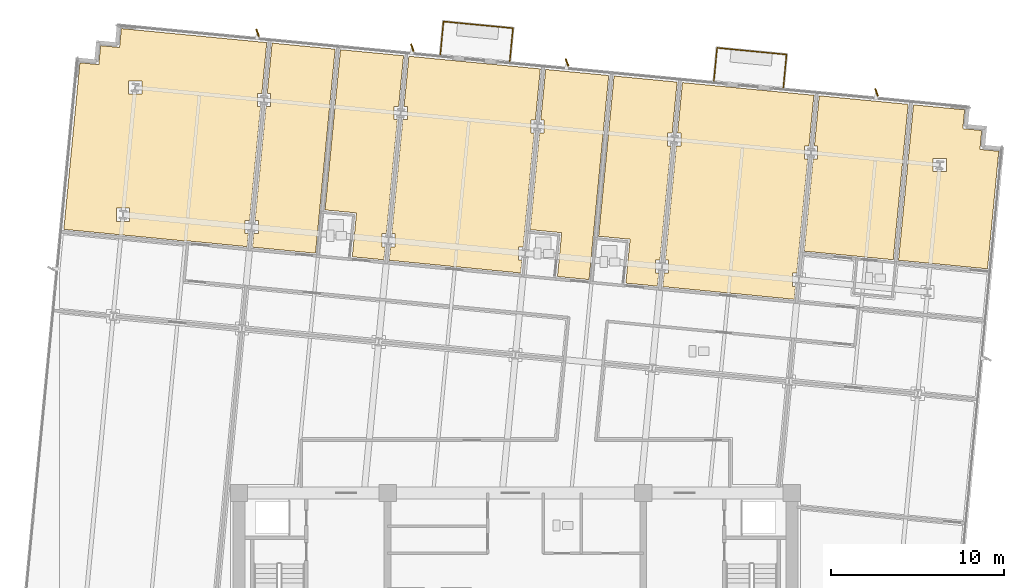
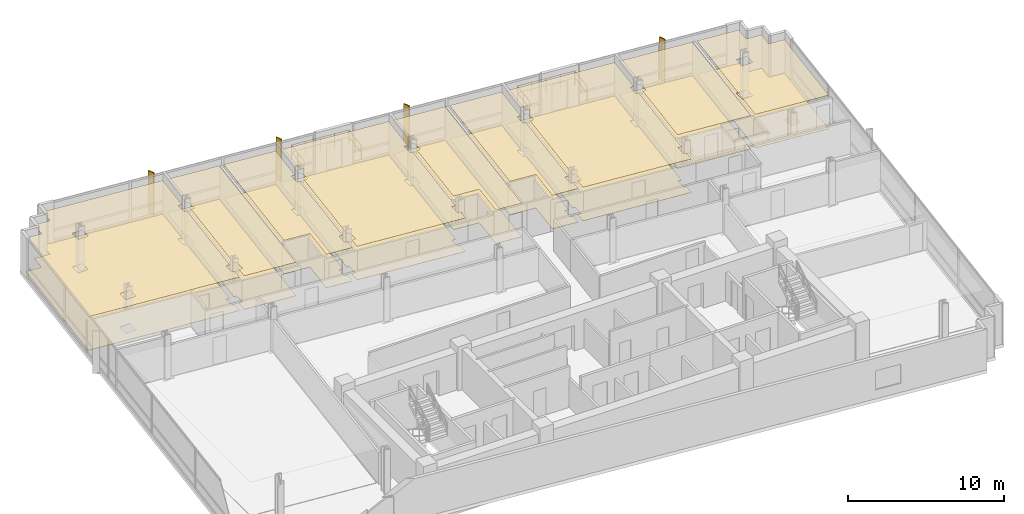
# One storey, part 16 of 17: 18 coverings, 6 railings, 4 shading devices.
"""IFC4 building model written with IfcOpenShell, lengths in metres."""

from ifc_helpers import new_model, si_unit, direction, frame, origin, origin_2d, place, context, subcontext, project, spatial, polyline, rectangle, circle, outline, extrude, material, layer, layer_set, type_object, element, save


model = new_model("IFC4")

# Units and contexts
model_context = context("Model", 3, precision=1e-05, world=origin(), true_north=direction((0.0, 1.0)))
body_context = subcontext(model_context, "Body", "Model", "MODEL_VIEW")
ifc_project = project(units=[si_unit("LENGTHUNIT", "METRE"), si_unit("AREAUNIT", "SQUARE_METRE"), si_unit("VOLUMEUNIT", "CUBIC_METRE"), si_unit("PLANEANGLEUNIT", "RADIAN"), si_unit("MASSUNIT", "GRAM", prefix="KILO")], contexts=[model_context])

# Site, building, storey
site_placement = place(None, origin())
site = spatial("IfcSite", under=ifc_project, at=site_placement, CompositionType="ELEMENT")
building_placement = place(site_placement, origin())
building = spatial("IfcBuilding", under=site, at=building_placement, Name="Solmavex Isthmus Hotel", CompositionType="ELEMENT")
storey_placement = place(building_placement, frame((0.0, 0.0, 173.85009765625)))
storey = spatial("IfcBuildingStorey", under=building, at=storey_placement, Name="L47", CompositionType="ELEMENT", Elevation=173.85009765625)

# Coverings
ifc_material_1 = material(Name="Gypsum plasterboard lining", Category="gypsum")
ifc_layer_1 = layer(ifc_material_1, 0.030029296875)
ifc_layer_set_1 = layer_set([ifc_layer_1], Name="Gypsum plasterboard lining")
covering_type_1 = type_object("IfcCoveringType", Name="COV-CEIL-GYP", PredefinedType="CEILING", material=ifc_layer_set_1)
covering_1_placement = place(storey_placement, frame((0.0, 0.0, 2.619873046875)))
element("IfcCovering", 1, at=covering_1_placement, inside=storey, type_object=covering_type_1, Name="Suspended Acoustic Ceiling L47-RM01", PredefinedType="CEILING", context=body_context, shape_type="SweptSolid", body=[
    extrude(outline(polyline([(-19.121337890625, 12.088623046875), (-19.119384765625, 12.1083984375), (-15.535888671875, 11.763427734375), (-15.463623046875, 12.51611328125), (-15.651123046875, 12.51611328125), (-15.651123046875, 13.276123046875), (-15.390380859375, 13.276123046875), (-14.755126953125, 19.874267578125), (-14.942626953125, 19.874267578125), (-14.942626953125, 20.63427734375), (-14.681884765625, 20.63427734375), (-14.3984375, 23.578857421875), (-21.99609375, 24.310302734375), (-22.8173828125, 24.389404296875), (-22.9228515625, 23.29443359375), (-24.017822265625, 23.39990234375), (-24.123291015625, 22.304931640625), (-25.218017578125, 22.410400390625), (-25.297119140625, 21.589111328125), (-26.14697265625, 12.764892578125), (-19.121337890625, 12.088623046875)]), holes=[polyline([(-22.396240234375, 20.591796875), (-22.396240234375, 21.351806640625), (-21.63623046875, 21.351806640625), (-21.63623046875, 20.591796875), (-22.396240234375, 20.591796875)]), polyline([(-23.104736328125, 13.23388671875), (-23.104736328125, 13.993896484375), (-22.3447265625, 13.993896484375), (-22.3447265625, 13.23388671875), (-23.104736328125, 13.23388671875)])]), origin(), (0.0, 0.0, 1.0), 0.030029296875),
])
covering_2_placement = place(storey_placement, frame((0.0, 0.0, 2.619873046875)))
element("IfcCovering", 2, at=covering_2_placement, inside=storey, type_object=covering_type_1, Name="Suspended Acoustic Ceiling L47-RM02", PredefinedType="CEILING", context=body_context, shape_type="SweptSolid", body=[
    extrude(outline(polyline([(-15.078857421875, 13.276123046875), (-14.89111328125, 13.276123046875), (-14.89111328125, 12.51611328125), (-15.152099609375, 12.51611328125), (-15.2275390625, 11.733642578125), (-11.576416015625, 11.382080078125), (-10.438720703125, 23.197509765625), (-14.08984375, 23.549072265625), (-14.370361328125, 20.63427734375), (-14.1826171875, 20.63427734375), (-14.1826171875, 19.874267578125), (-14.443603515625, 19.874267578125), (-15.078857421875, 13.276123046875)])), origin(), (0.0, 0.0, 1.0), 0.030029296875),
])
covering_3_placement = place(storey_placement, frame((0.0, 0.0, 2.619873046875)))
element("IfcCovering", 3, at=covering_3_placement, inside=storey, type_object=covering_type_1, Name="Suspended Acoustic Ceiling L47-RM03", PredefinedType="CEILING", context=body_context, shape_type="SweptSolid", body=[
    extrude(outline(polyline([(-6.835693359375, 19.111572265625), (-7.0234375, 19.111572265625), (-7.0234375, 19.87158203125), (-6.762451171875, 19.87158203125), (-6.47900390625, 22.816162109375), (-10.130126953125, 23.167724609375), (-11.0234375, 13.890625), (-9.201904296875, 13.71533203125), (-9.4462890625, 11.177001953125), (-7.61669921875, 11.000732421875), (-7.544189453125, 11.753662109375), (-7.73193359375, 11.753662109375), (-7.73193359375, 12.513671875), (-7.470947265625, 12.513671875), (-6.835693359375, 19.111572265625)])), origin(), (0.0, 0.0, 1.0), 0.030029296875),
])
covering_4_placement = place(storey_placement, frame((0.0, 0.0, 2.619873046875)))
element("IfcCovering", 4, at=covering_4_placement, inside=storey, type_object=covering_type_1, Name="Suspended Acoustic Ceiling L47-RM04", PredefinedType="CEILING", context=body_context, shape_type="SweptSolid", body=[
    extrude(outline(polyline([(-7.159423828125, 12.513671875), (-6.971923828125, 12.513671875), (-6.971923828125, 11.753662109375), (-7.232666015625, 11.753662109375), (-7.30810546875, 10.97119140625), (0.302734375, 10.23828125), (0.375244140625, 10.9912109375), (0.1875, 10.9912109375), (0.1875, 11.751220703125), (0.448486328125, 11.751220703125), (1.083740234375, 18.34912109375), (0.89599609375, 18.34912109375), (0.89599609375, 19.109130859375), (1.156982421875, 19.109130859375), (1.4404296875, 22.0537109375), (-6.17041015625, 22.786376953125), (-6.450927734375, 19.87158203125), (-6.263427734375, 19.87158203125), (-6.263427734375, 19.111572265625), (-6.524169921875, 19.111572265625), (-7.0146484375, 14.017822265625), (-7.159423828125, 12.513671875)])), origin(), (0.0, 0.0, 1.0), 0.030029296875),
])
covering_5_placement = place(storey_placement, frame((0.0, 0.0, 2.619873046875)))
element("IfcCovering", 5, at=covering_5_placement, inside=storey, type_object=covering_type_1, Name="Suspended Acoustic Ceiling L47-RM05", PredefinedType="CEILING", context=body_context, shape_type="SweptSolid", body=[
    extrude(outline(polyline([(1.46826171875, 19.109130859375), (1.656005859375, 19.109130859375), (1.656005859375, 18.34912109375), (1.395263671875, 18.34912109375), (0.855712890625, 12.746826171875), (2.67724609375, 12.571533203125), (2.432861328125, 10.033203125), (4.262451171875, 9.85693359375), (5.400146484375, 21.67236328125), (1.7490234375, 22.02392578125), (1.46826171875, 19.109130859375)])), origin(), (0.0, 0.0, 1.0), 0.030029296875),
])
covering_6_placement = place(storey_placement, frame((0.0, 0.0, 2.619873046875)))
element("IfcCovering", 6, at=covering_6_placement, inside=storey, type_object=covering_type_1, Name="Suspended Acoustic Ceiling L47-RM06", PredefinedType="CEILING", context=body_context, shape_type="SweptSolid", body=[
    extrude(outline(polyline([(9.003173828125, 17.586669921875), (8.8154296875, 17.586669921875), (8.8154296875, 18.346435546875), (9.076171875, 18.346435546875), (9.35986328125, 21.291015625), (5.708740234375, 21.642578125), (4.8154296875, 12.365478515625), (6.636962890625, 12.190185546875), (6.392333984375, 9.65185546875), (8.22216796875, 9.475830078125), (8.294677734375, 10.228515625), (8.10693359375, 10.228515625), (8.10693359375, 10.988525390625), (8.36767578125, 10.988525390625), (9.003173828125, 17.586669921875)])), origin(), (0.0, 0.0, 1.0), 0.030029296875),
])
covering_7_placement = place(storey_placement, frame((0.0, 0.0, 2.619873046875)))
element("IfcCovering", 7, at=covering_7_placement, inside=storey, type_object=covering_type_1, Name="Suspended Acoustic Ceiling L47-RM07", PredefinedType="CEILING", context=body_context, shape_type="SweptSolid", body=[
    extrude(outline(polyline([(8.67919921875, 10.988525390625), (8.866943359375, 10.988525390625), (8.866943359375, 10.228515625), (8.60595703125, 10.228515625), (8.53076171875, 9.446044921875), (16.1416015625, 8.713134765625), (16.2138671875, 9.466064453125), (16.0263671875, 9.466064453125), (16.0263671875, 10.22607421875), (16.287109375, 10.22607421875), (16.92236328125, 16.823974609375), (16.73486328125, 16.823974609375), (16.73486328125, 17.583984375), (16.99560546875, 17.583984375), (17.279052734375, 20.528564453125), (9.66845703125, 21.261474609375), (9.3876953125, 18.346435546875), (9.575439453125, 18.346435546875), (9.575439453125, 17.586669921875), (9.314453125, 17.586669921875), (8.67919921875, 10.988525390625)])), origin(), (0.0, 0.0, 1.0), 0.030029296875),
])
covering_8_placement = place(storey_placement, frame((0.0, 0.0, 2.619873046875)))
element("IfcCovering", 8, at=covering_8_placement, inside=storey, type_object=covering_type_1, Name="Suspended Acoustic Ceiling L47-HB08", PredefinedType="CEILING", context=body_context, shape_type="SweptSolid", body=[
    extrude(outline(polyline([(17.30712890625, 17.583984375), (17.494873046875, 17.583984375), (17.494873046875, 16.823974609375), (17.23388671875, 16.823974609375), (17.139404296875, 15.841552734375), (16.72119140625, 11.50048828125), (21.87158203125, 11.004638671875), (22.738037109375, 20.0029296875), (17.587646484375, 20.498779296875), (17.30712890625, 17.583984375)])), origin(), (0.0, 0.0, 1.0), 0.030029296875),
])
covering_9_placement = place(storey_placement, frame((0.0, 0.0, 2.619873046875)))
element("IfcCovering", 9, at=covering_9_placement, inside=storey, type_object=covering_type_1, Name="Suspended Acoustic Ceiling L47-HP08", PredefinedType="CEILING", context=body_context, shape_type="SweptSolid", body=[
    extrude(outline(polyline([(26.0068359375, 19.688232421875), (25.185546875, 19.767333984375), (23.04638671875, 19.97314453125), (22.179931640625, 10.974853515625), (27.330322265625, 10.47900390625), (27.90673828125, 16.46630859375), (27.98583984375, 17.287353515625), (26.890869140625, 17.392822265625), (26.996337890625, 18.48779296875), (25.9013671875, 18.59326171875), (26.0068359375, 19.688232421875)]), holes=[polyline([(24.188232421875, 16.106201171875), (24.188232421875, 16.8662109375), (24.9482421875, 16.8662109375), (24.9482421875, 16.106201171875), (24.188232421875, 16.106201171875)])]), origin(), (0.0, 0.0, 1.0), 0.030029296875),
])
ifc_material_2 = material(Name="Travertine natural stone", Category="masonry")
ifc_layer_2 = layer(ifc_material_2, 0.02490234375)
ifc_layer_set_2 = layer_set([ifc_layer_2], Name="Travertine natural stone")
covering_type_2 = type_object("IfcCoveringType", Name="COV-FLOR-STN", PredefinedType="FLOORING", material=ifc_layer_set_2)
covering_10_placement = place(storey_placement, origin())
element("IfcCovering", 10, at=covering_10_placement, inside=storey, type_object=covering_type_2, Name="Stone and Timber Floor Finish L47-RM01", PredefinedType="FLOORING", context=body_context, shape_type="SweptSolid", body=[
    extrude(outline(polyline([(-19.121337890625, 12.088623046875), (-19.119384765625, 12.1083984375), (-15.535888671875, 11.763427734375), (-15.463623046875, 12.51611328125), (-15.651123046875, 12.51611328125), (-15.651123046875, 13.276123046875), (-15.390380859375, 13.276123046875), (-14.755126953125, 19.874267578125), (-14.942626953125, 19.874267578125), (-14.942626953125, 20.63427734375), (-14.681884765625, 20.63427734375), (-14.3984375, 23.578857421875), (-21.99609375, 24.310302734375), (-22.8173828125, 24.389404296875), (-22.9228515625, 23.29443359375), (-24.017822265625, 23.39990234375), (-24.123291015625, 22.304931640625), (-25.218017578125, 22.410400390625), (-25.297119140625, 21.589111328125), (-26.14697265625, 12.764892578125), (-19.121337890625, 12.088623046875)]), holes=[polyline([(-22.396240234375, 20.591796875), (-22.396240234375, 21.351806640625), (-21.63623046875, 21.351806640625), (-21.63623046875, 20.591796875), (-22.396240234375, 20.591796875)]), polyline([(-23.104736328125, 13.23388671875), (-23.104736328125, 13.993896484375), (-22.3447265625, 13.993896484375), (-22.3447265625, 13.23388671875), (-23.104736328125, 13.23388671875)])]), origin(), (0.0, 0.0, 1.0), 0.02490234375),
])
covering_11_placement = place(storey_placement, origin())
element("IfcCovering", 11, at=covering_11_placement, inside=storey, type_object=covering_type_2, Name="Stone and Timber Floor Finish L47-RM02", PredefinedType="FLOORING", context=body_context, shape_type="SweptSolid", body=[
    extrude(outline(polyline([(-15.078857421875, 13.276123046875), (-14.89111328125, 13.276123046875), (-14.89111328125, 12.51611328125), (-15.152099609375, 12.51611328125), (-15.2275390625, 11.733642578125), (-11.576416015625, 11.382080078125), (-10.438720703125, 23.197509765625), (-14.08984375, 23.549072265625), (-14.370361328125, 20.63427734375), (-14.1826171875, 20.63427734375), (-14.1826171875, 19.874267578125), (-14.443603515625, 19.874267578125), (-15.078857421875, 13.276123046875)])), origin(), (0.0, 0.0, 1.0), 0.02490234375),
])
covering_12_placement = place(storey_placement, origin())
element("IfcCovering", 12, at=covering_12_placement, inside=storey, type_object=covering_type_2, Name="Stone and Timber Floor Finish L47-RM03", PredefinedType="FLOORING", context=body_context, shape_type="SweptSolid", body=[
    extrude(outline(polyline([(-6.835693359375, 19.111572265625), (-7.0234375, 19.111572265625), (-7.0234375, 19.87158203125), (-6.762451171875, 19.87158203125), (-6.47900390625, 22.816162109375), (-10.130126953125, 23.167724609375), (-11.0234375, 13.890625), (-9.201904296875, 13.71533203125), (-9.4462890625, 11.177001953125), (-7.61669921875, 11.000732421875), (-7.544189453125, 11.753662109375), (-7.73193359375, 11.753662109375), (-7.73193359375, 12.513671875), (-7.470947265625, 12.513671875), (-6.835693359375, 19.111572265625)])), origin(), (0.0, 0.0, 1.0), 0.02490234375),
])
covering_13_placement = place(storey_placement, origin())
element("IfcCovering", 13, at=covering_13_placement, inside=storey, type_object=covering_type_2, Name="Stone and Timber Floor Finish L47-RM04", PredefinedType="FLOORING", context=body_context, shape_type="SweptSolid", body=[
    extrude(outline(polyline([(-7.159423828125, 12.513671875), (-6.971923828125, 12.513671875), (-6.971923828125, 11.753662109375), (-7.232666015625, 11.753662109375), (-7.30810546875, 10.97119140625), (0.302734375, 10.23828125), (0.375244140625, 10.9912109375), (0.1875, 10.9912109375), (0.1875, 11.751220703125), (0.448486328125, 11.751220703125), (1.083740234375, 18.34912109375), (0.89599609375, 18.34912109375), (0.89599609375, 19.109130859375), (1.156982421875, 19.109130859375), (1.4404296875, 22.0537109375), (-6.17041015625, 22.786376953125), (-6.450927734375, 19.87158203125), (-6.263427734375, 19.87158203125), (-6.263427734375, 19.111572265625), (-6.524169921875, 19.111572265625), (-7.0146484375, 14.017822265625), (-7.159423828125, 12.513671875)])), origin(), (0.0, 0.0, 1.0), 0.02490234375),
])
covering_14_placement = place(storey_placement, origin())
element("IfcCovering", 14, at=covering_14_placement, inside=storey, type_object=covering_type_2, Name="Stone and Timber Floor Finish L47-RM05", PredefinedType="FLOORING", context=body_context, shape_type="SweptSolid", body=[
    extrude(outline(polyline([(1.46826171875, 19.109130859375), (1.656005859375, 19.109130859375), (1.656005859375, 18.34912109375), (1.395263671875, 18.34912109375), (0.855712890625, 12.746826171875), (2.67724609375, 12.571533203125), (2.432861328125, 10.033203125), (4.262451171875, 9.85693359375), (5.400146484375, 21.67236328125), (1.7490234375, 22.02392578125), (1.46826171875, 19.109130859375)])), origin(), (0.0, 0.0, 1.0), 0.02490234375),
])
covering_15_placement = place(storey_placement, origin())
element("IfcCovering", 15, at=covering_15_placement, inside=storey, type_object=covering_type_2, Name="Stone and Timber Floor Finish L47-RM06", PredefinedType="FLOORING", context=body_context, shape_type="SweptSolid", body=[
    extrude(outline(polyline([(9.003173828125, 17.586669921875), (8.8154296875, 17.586669921875), (8.8154296875, 18.346435546875), (9.076171875, 18.346435546875), (9.35986328125, 21.291015625), (5.708740234375, 21.642578125), (4.8154296875, 12.365478515625), (6.636962890625, 12.190185546875), (6.392333984375, 9.65185546875), (8.22216796875, 9.475830078125), (8.294677734375, 10.228515625), (8.10693359375, 10.228515625), (8.10693359375, 10.988525390625), (8.36767578125, 10.988525390625), (9.003173828125, 17.586669921875)])), origin(), (0.0, 0.0, 1.0), 0.02490234375),
])
covering_16_placement = place(storey_placement, origin())
element("IfcCovering", 16, at=covering_16_placement, inside=storey, type_object=covering_type_2, Name="Stone and Timber Floor Finish L47-RM07", PredefinedType="FLOORING", context=body_context, shape_type="SweptSolid", body=[
    extrude(outline(polyline([(8.67919921875, 10.988525390625), (8.866943359375, 10.988525390625), (8.866943359375, 10.228515625), (8.60595703125, 10.228515625), (8.53076171875, 9.446044921875), (16.1416015625, 8.713134765625), (16.2138671875, 9.466064453125), (16.0263671875, 9.466064453125), (16.0263671875, 10.22607421875), (16.287109375, 10.22607421875), (16.92236328125, 16.823974609375), (16.73486328125, 16.823974609375), (16.73486328125, 17.583984375), (16.99560546875, 17.583984375), (17.279052734375, 20.528564453125), (9.66845703125, 21.261474609375), (9.3876953125, 18.346435546875), (9.575439453125, 18.346435546875), (9.575439453125, 17.586669921875), (9.314453125, 17.586669921875), (8.67919921875, 10.988525390625)])), origin(), (0.0, 0.0, 1.0), 0.02490234375),
])
covering_17_placement = place(storey_placement, origin())
element("IfcCovering", 17, at=covering_17_placement, inside=storey, type_object=covering_type_2, Name="Stone and Timber Floor Finish L47-HB08", PredefinedType="FLOORING", context=body_context, shape_type="SweptSolid", body=[
    extrude(outline(polyline([(17.30712890625, 17.583984375), (17.494873046875, 17.583984375), (17.494873046875, 16.823974609375), (17.23388671875, 16.823974609375), (17.139404296875, 15.841552734375), (16.72119140625, 11.50048828125), (21.87158203125, 11.004638671875), (22.738037109375, 20.0029296875), (17.587646484375, 20.498779296875), (17.30712890625, 17.583984375)])), origin(), (0.0, 0.0, 1.0), 0.02490234375),
])
covering_18_placement = place(storey_placement, origin())
element("IfcCovering", 18, at=covering_18_placement, inside=storey, type_object=covering_type_2, Name="Stone and Timber Floor Finish L47-HP08", PredefinedType="FLOORING", context=body_context, shape_type="SweptSolid", body=[
    extrude(outline(polyline([(26.0068359375, 19.688232421875), (25.185546875, 19.767333984375), (23.04638671875, 19.97314453125), (22.179931640625, 10.974853515625), (27.330322265625, 10.47900390625), (27.90673828125, 16.46630859375), (27.98583984375, 17.287353515625), (26.890869140625, 17.392822265625), (26.996337890625, 18.48779296875), (25.9013671875, 18.59326171875), (26.0068359375, 19.688232421875)]), holes=[polyline([(24.188232421875, 16.106201171875), (24.188232421875, 16.8662109375), (24.9482421875, 16.8662109375), (24.9482421875, 16.106201171875), (24.188232421875, 16.106201171875)])]), origin(), (0.0, 0.0, 1.0), 0.02490234375),
])

# Railings
ifc_material_3 = material(Name="Clear low-E laminated glass", Category="glass")
ifc_layer_3 = layer(ifc_material_3, 0.070068359375)
ifc_layer_set_3 = layer_set([ifc_layer_3], Name="Clear low-E laminated glass")
railing_type = type_object("IfcRailingType", Name="RAIL-GUARD-1100", PredefinedType="BALUSTRADE", material=ifc_layer_set_3)
railing_1_placement = place(storey_placement, frame((-4.349365234375, 22.887451171875, 0.0)))
element("IfcRailing", 19, at=railing_1_placement, inside=storey, type_object=railing_type, Name="Guardrail Balustrade L47-BAL1-01", PredefinedType="BALUSTRADE", context=body_context, shape_type="SweptSolid", body=[
    extrude(circle(Radius=0.02392578125, at=origin_2d()), frame((0.0, 0.0, 1.09619140625), z_axis=(0.095877165628, 0.995393173129, 0.0), x_axis=(-0.995393173129, 0.095877165628, 0.0)), (0.0, 0.0, 1.0), 1.919921875),
    extrude(circle(Radius=0.02392578125, at=origin_2d()), frame((0.0, 0.0, 0.56005859375), z_axis=(0.095877165628, 0.995393173129, 0.0), x_axis=(-0.995393173129, 0.095877165628, 0.0)), (0.0, 0.0, 1.0), 1.919921875),
    extrude(circle(Radius=0.02099609375, at=origin_2d()), origin(), (0.0, 0.0, 1.0), 1.072021484375),
    extrude(circle(Radius=0.02099609375, at=origin_2d()), frame((0.092041015625, 0.95556640625, 0.0)), (0.0, 0.0, 1.0), 1.072021484375),
    extrude(circle(Radius=0.02099609375, at=origin_2d()), frame((0.18408203125, 1.9111328125, 0.0)), (0.0, 0.0, 1.0), 1.072021484375),
])
railing_2_placement = place(storey_placement, frame((-4.165283203125, 24.798583984375, 0.0)))
element("IfcRailing", 20, at=railing_2_placement, inside=storey, type_object=railing_type, Name="Guardrail Balustrade L47-BAL1-02", PredefinedType="BALUSTRADE", context=body_context, shape_type="SweptSolid", body=[
    extrude(circle(Radius=0.02392578125, at=origin_2d()), frame((0.0, 0.0, 1.09619140625), z_axis=(0.995396620385, -0.095841369593, 0.0), x_axis=(0.095841369593, 0.995396620385, 0.0)), (0.0, 0.0, 1.0), 4.0400390625),
    extrude(circle(Radius=0.02392578125, at=origin_2d()), frame((0.0, 0.0, 0.56005859375), z_axis=(0.995396620385, -0.095841369593, 0.0), x_axis=(0.095841369593, 0.995396620385, 0.0)), (0.0, 0.0, 1.0), 4.0400390625),
    extrude(circle(Radius=0.02099609375, at=origin_2d()), origin(), (0.0, 0.0, 1.0), 1.072021484375),
    extrude(circle(Radius=0.02099609375, at=origin_2d()), frame((1.00537109375, -0.0966796875, 0.0)), (0.0, 0.0, 1.0), 1.072021484375),
    extrude(circle(Radius=0.02099609375, at=origin_2d()), frame((2.0107421875, -0.193603515625, 0.0)), (0.0, 0.0, 1.0), 1.072021484375),
    extrude(circle(Radius=0.02099609375, at=origin_2d()), frame((3.01611328125, -0.29052734375, 0.0)), (0.0, 0.0, 1.0), 1.072021484375),
    extrude(circle(Radius=0.02099609375, at=origin_2d()), frame((4.021484375, -0.38720703125, 0.0)), (0.0, 0.0, 1.0), 1.072021484375),
])
railing_3_placement = place(storey_placement, frame((-0.143798828125, 24.411376953125, 0.0)))
element("IfcRailing", 21, at=railing_3_placement, inside=storey, type_object=railing_type, Name="Guardrail Balustrade L47-BAL1-03", PredefinedType="BALUSTRADE", context=body_context, shape_type="SweptSolid", body=[
    extrude(circle(Radius=0.02392578125, at=origin_2d()), frame((0.0, 0.0, 1.09619140625), z_axis=(-0.095877165628, -0.995393173129, 0.0), x_axis=(0.995393173129, -0.095877165628, 0.0)), (0.0, 0.0, 1.0), 1.919921875),
    extrude(circle(Radius=0.02392578125, at=origin_2d()), frame((0.0, 0.0, 0.56005859375), z_axis=(-0.095877165628, -0.995393173129, 0.0), x_axis=(0.995393173129, -0.095877165628, 0.0)), (0.0, 0.0, 1.0), 1.919921875),
    extrude(circle(Radius=0.02099609375, at=origin_2d()), origin(), (0.0, 0.0, 1.0), 1.072021484375),
    extrude(circle(Radius=0.02099609375, at=origin_2d()), frame((-0.092041015625, -0.95556640625, 0.0)), (0.0, 0.0, 1.0), 1.072021484375),
    extrude(circle(Radius=0.02099609375, at=origin_2d()), frame((-0.18408203125, -1.9111328125, 0.0)), (0.0, 0.0, 1.0), 1.072021484375),
])
railing_4_placement = place(storey_placement, frame((11.489501953125, 21.3623046875, 0.0)))
element("IfcRailing", 22, at=railing_4_placement, inside=storey, type_object=railing_type, Name="Guardrail Balustrade L47-BAL2-01", PredefinedType="BALUSTRADE", context=body_context, shape_type="SweptSolid", body=[
    extrude(circle(Radius=0.02392578125, at=origin_2d()), frame((0.0, 0.0, 1.09619140625), z_axis=(0.095751174172, 0.995405300691, 0.0), x_axis=(-0.995405300691, 0.095751174172, 0.0)), (0.0, 0.0, 1.0), 1.919921875),
    extrude(circle(Radius=0.02392578125, at=origin_2d()), frame((0.0, 0.0, 0.56005859375), z_axis=(0.095751174172, 0.995405300691, 0.0), x_axis=(-0.995405300691, 0.095751174172, 0.0)), (0.0, 0.0, 1.0), 1.919921875),
    extrude(circle(Radius=0.02099609375, at=origin_2d()), origin(), (0.0, 0.0, 1.0), 1.072021484375),
    extrude(circle(Radius=0.02099609375, at=origin_2d()), frame((0.091796875, 0.95556640625, 0.0)), (0.0, 0.0, 1.0), 1.072021484375),
    extrude(circle(Radius=0.02099609375, at=origin_2d()), frame((0.183837890625, 1.9111328125, 0.0)), (0.0, 0.0, 1.0), 1.072021484375),
])
railing_5_placement = place(storey_placement, frame((11.67333984375, 23.2734375, 0.0)))
element("IfcRailing", 23, at=railing_5_placement, inside=storey, type_object=railing_type, Name="Guardrail Balustrade L47-BAL2-02", PredefinedType="BALUSTRADE", context=body_context, shape_type="SweptSolid", body=[
    extrude(circle(Radius=0.02392578125, at=origin_2d()), frame((0.0, 0.0, 1.09619140625), z_axis=(0.995396620385, -0.095841369593, 0.0), x_axis=(0.095841369593, 0.995396620385, 0.0)), (0.0, 0.0, 1.0), 4.0400390625),
    extrude(circle(Radius=0.02392578125, at=origin_2d()), frame((0.0, 0.0, 0.56005859375), z_axis=(0.995396620385, -0.095841369593, 0.0), x_axis=(0.095841369593, 0.995396620385, 0.0)), (0.0, 0.0, 1.0), 4.0400390625),
    extrude(circle(Radius=0.02099609375, at=origin_2d()), origin(), (0.0, 0.0, 1.0), 1.072021484375),
    extrude(circle(Radius=0.02099609375, at=origin_2d()), frame((1.00537109375, -0.0966796875, 0.0)), (0.0, 0.0, 1.0), 1.072021484375),
    extrude(circle(Radius=0.02099609375, at=origin_2d()), frame((2.0107421875, -0.193603515625, 0.0)), (0.0, 0.0, 1.0), 1.072021484375),
    extrude(circle(Radius=0.02099609375, at=origin_2d()), frame((3.01611328125, -0.29052734375, 0.0)), (0.0, 0.0, 1.0), 1.072021484375),
    extrude(circle(Radius=0.02099609375, at=origin_2d()), frame((4.021484375, -0.38720703125, 0.0)), (0.0, 0.0, 1.0), 1.072021484375),
])
railing_6_placement = place(storey_placement, frame((15.69482421875, 22.88623046875, 0.0)))
element("IfcRailing", 24, at=railing_6_placement, inside=storey, type_object=railing_type, Name="Guardrail Balustrade L47-BAL2-03", PredefinedType="BALUSTRADE", context=body_context, shape_type="SweptSolid", body=[
    extrude(circle(Radius=0.02392578125, at=origin_2d()), frame((0.0, 0.0, 1.09619140625), z_axis=(-0.095877165628, -0.995393173129, 0.0), x_axis=(0.995393173129, -0.095877165628, 0.0)), (0.0, 0.0, 1.0), 1.919921875),
    extrude(circle(Radius=0.02392578125, at=origin_2d()), frame((0.0, 0.0, 0.56005859375), z_axis=(-0.095877165628, -0.995393173129, 0.0), x_axis=(0.995393173129, -0.095877165628, 0.0)), (0.0, 0.0, 1.0), 1.919921875),
    extrude(circle(Radius=0.02099609375, at=origin_2d()), origin(), (0.0, 0.0, 1.0), 1.072021484375),
    extrude(circle(Radius=0.02099609375, at=origin_2d()), frame((-0.092041015625, -0.95556640625, 0.0)), (0.0, 0.0, 1.0), 1.072021484375),
    extrude(circle(Radius=0.02099609375, at=origin_2d()), frame((-0.18408203125, -1.9111328125, 0.0)), (0.0, 0.0, 1.0), 1.072021484375),
])

# Shading devices
ifc_material_4 = material(Name="Aluminium alloy 6063-T6", Category="aluminium")
shading_device_type = type_object("IfcShadingDeviceType", Name="SHD-FIN-BRONZE", PredefinedType="USERDEFINED", material=ifc_material_4)
for number, where, z_axis, x_axis, name in (
    (25, (-14.92919921875, 24.147216796875, -0.14013671875), (0.0, 0.0, 1.0), (-0.350207381259, 0.936672189248, 0.0), "Anodised Aluminium Solar Fin L47-N1"),
    (26, (-5.970703125, 23.28466796875, -0.14013671875), (0.0, 0.0, 1.0), (-0.350207381259, 0.936672189248, 0.0), "Anodised Aluminium Solar Fin L47-N2"),
    (27, (2.98779296875, 22.422119140625, -0.14013671875), (0.0, 0.0, 1.0), (-0.350207381259, 0.936672189248, 0.0), "Anodised Aluminium Solar Fin L47-N3"),
    (28, (20.905029296875, 20.69677734375, -0.14013671875), (0.0, 0.0, 1.0), (-0.350207381259, 0.936672189248, 0.0), "Anodised Aluminium Solar Fin L47-N4"),
):
    element("IfcShadingDevice", number, at=place(storey_placement, frame(where, z_axis=z_axis, x_axis=x_axis)), inside=storey, type_object=shading_device_type, Name=name, ObjectType="SOLAR_FIN", PredefinedType="USERDEFINED", context=body_context, shape_type="SweptSolid", body=[
        extrude(rectangle(XDim=0.449951171875, YDim=0.080078125, at=origin_2d()), origin(), (0.0, 0.0, 1.0), 3.330078125),
    ])

save(model, "model.ifc")
